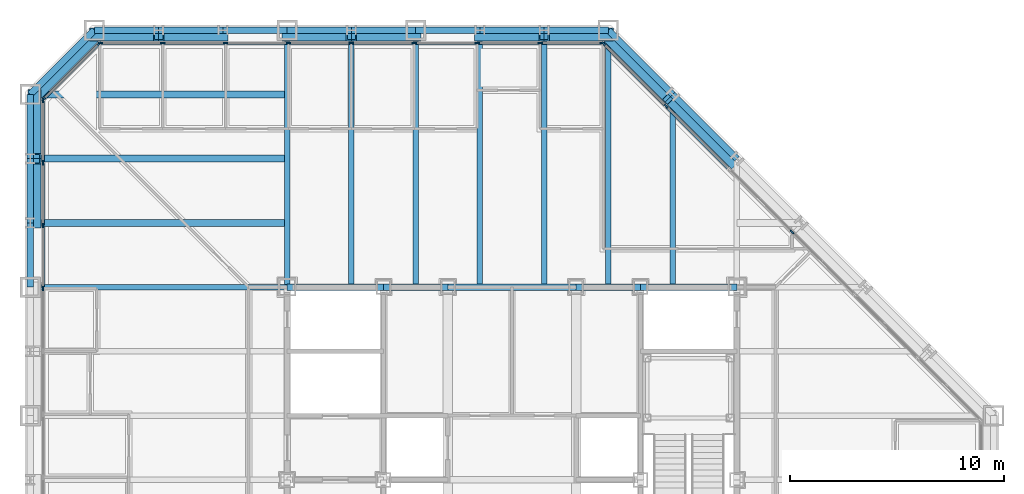
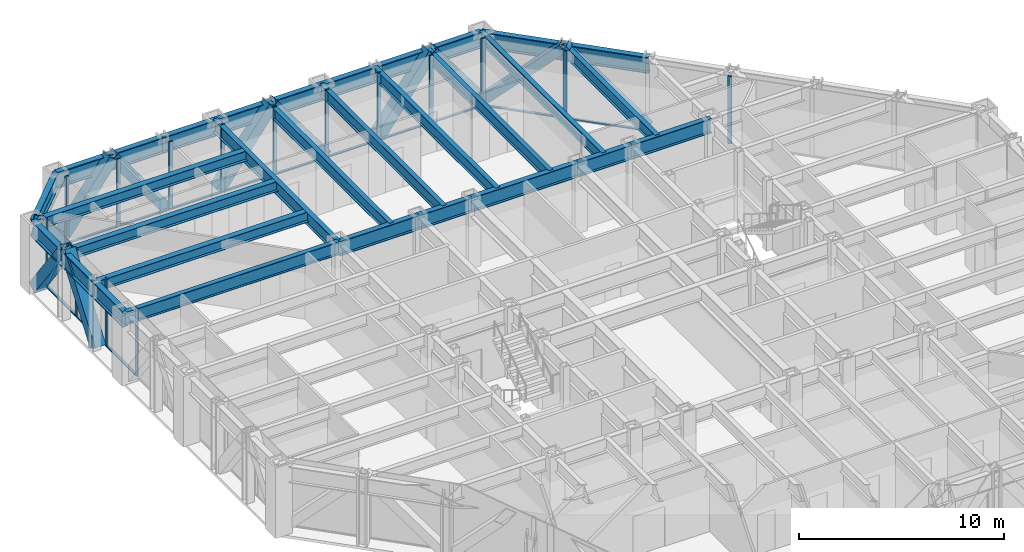
# One storey, part 7 of 17: 43 members, 30 beams, 4 elements without a shape of their own.
"""IFC4 building model written with IfcOpenShell, lengths in metres."""

from ifc_helpers import new_model, si_unit, direction, frame, origin, origin_2d, place, context, subcontext, project, spatial, rectangle, hollow_rectangle, i_section, extrude, material, layer, layer_set, material_profile, profile_set, type_object, element, aggregate, save


model = new_model("IFC4")

# Units and contexts
model_context = context("Model", 3, precision=1e-05, world=origin(), true_north=direction((0.0, 1.0)))
body_context = subcontext(model_context, "Body", "Model", "MODEL_VIEW")
ifc_project = project(units=[si_unit("LENGTHUNIT", "METRE"), si_unit("AREAUNIT", "SQUARE_METRE"), si_unit("VOLUMEUNIT", "CUBIC_METRE"), si_unit("PLANEANGLEUNIT", "RADIAN"), si_unit("MASSUNIT", "GRAM", prefix="KILO")], contexts=[model_context])

# Site, building, storey
site_placement = place(None, origin())
site = spatial("IfcSite", under=ifc_project, at=site_placement, CompositionType="ELEMENT")
building_placement = place(site_placement, origin())
building = spatial("IfcBuilding", under=site, at=building_placement, Name="Chuquiago Exchange Tower", CompositionType="ELEMENT")
storey_placement = place(building_placement, frame((0.0, 0.0, 132.0)))
storey = spatial("IfcBuildingStorey", under=building, at=storey_placement, Name="L28", CompositionType="ELEMENT", Elevation=132.0)

# Beams
ifc_material_1 = material(Name="Steel ASTM A992", Category="steel")
ifc_material_profile_1 = material_profile(ifc_material_1, i_section(OverallWidth=0.25390625, OverallDepth=0.683349609375, WebThickness=0.012451171875, FlangeThickness=0.018798828125, at=origin_2d()), Name="W27X94")
ifc_profile_set_1 = profile_set([ifc_material_profile_1], Name="Steel ASTM A992")
beam_type_1 = type_object("IfcBeamType", Name="B1 W27X94", PredefinedType="BEAM", material=ifc_profile_set_1)
for number, where, z_axis, x_axis, name in (
    (1, (15.0, 33.0, 3.698486328125), (0.0, 1.0, 0.0), (-1.0, 0.0, 0.0), "FB-L29-infill-15_33-15_45-0"),
    (2, (18.0, 33.0, 3.698486328125), (0.0, 1.0, 0.0), (-1.0, 0.0, 0.0), "FB-L29-infill-18_33-18_45-0"),
    (3, (21.0, 33.0, 3.698486328125), (0.0, 1.0, 0.0), (-1.0, 0.0, 0.0), "FB-L29-infill-21_33-21_45-0"),
    (4, (24.0, 33.0, 3.698486328125), (0.0, 1.0, 0.0), (-1.0, 0.0, 0.0), "FB-L29-infill-24_33-24_45-0"),
    (5, (27.0, 33.0, 3.698486328125), (0.0, 1.0, 0.0), (-1.0, 0.0, 0.0), "FB-L29-infill-27_33-27_45-0"),
):
    element("IfcBeam", number, at=place(storey_placement, frame(where, z_axis=z_axis, x_axis=x_axis)), inside=storey, type_object=beam_type_1, Name=name, PredefinedType="BEAM", context=body_context, shape_type="SweptSolid", body=[
        extrude(i_section(OverallWidth=0.25390625, OverallDepth=0.683349609375, WebThickness=0.012451171875, FlangeThickness=0.018798828125, at=origin_2d()), origin(), (0.0, 0.0, 1.0), 12.0),
    ])
beam_1_placement = place(storey_placement, frame((30.0, 33.0, 3.698486328125), z_axis=(0.0, 1.0, 0.0), x_axis=(-1.0, 0.0, 0.0)))
element("IfcBeam", 6, at=beam_1_placement, inside=storey, type_object=beam_type_1, Name="FB-L29-infill-30_33-30_42-0", PredefinedType="BEAM", context=body_context, shape_type="SweptSolid", body=[
    extrude(i_section(OverallWidth=0.25390625, OverallDepth=0.683349609375, WebThickness=0.012451171875, FlangeThickness=0.018798828125, at=origin_2d()), origin(), (0.0, 0.0, 1.0), 9.0),
])
ifc_material_2 = material(Name="Steel ASTM A992", Category="steel")
ifc_material_profile_2 = material_profile(ifc_material_2, i_section(OverallWidth=0.3251953125, OverallDepth=0.612060546875, WebThickness=0.0126953125, FlangeThickness=0.01904296875, at=origin_2d()), Name="W24X104")
ifc_profile_set_2 = profile_set([ifc_material_profile_2], Name="Steel ASTM A992")
beam_type_2 = type_object("IfcBeamType", Name="B2 W24X104", PredefinedType="BEAM", material=ifc_profile_set_2)
for number, where, z_axis, x_axis, name in (
    (7, (12.0, 36.0, 3.73388671875), (-1.0, 0.0, 0.0), (0.0, -1.0, 0.0), "FB-L29-corner-12_36--0_36-0"),
    (8, (12.0, 39.0, 3.73388671875), (-1.0, 0.0, 0.0), (0.0, -1.0, 0.0), "FB-L29-corner-12_39--0_39-0"),
    (9, (12.0, 42.0, 3.73388671875), (-1.0, 0.0, 0.0), (0.0, -1.0, 0.0), "FB-L29-corner-12_42--0_42-0"),
):
    element("IfcBeam", number, at=place(storey_placement, frame(where, z_axis=z_axis, x_axis=x_axis)), inside=storey, type_object=beam_type_2, Name=name, PredefinedType="BEAM", context=body_context, shape_type="SweptSolid", body=[
        extrude(i_section(OverallWidth=0.3251953125, OverallDepth=0.612060546875, WebThickness=0.0126953125, FlangeThickness=0.01904296875, at=origin_2d()), origin(), (0.0, 0.0, 1.0), 12.0),
    ])
ifc_material_3 = material(Name="Steel ASTM A992", Category="steel")
ifc_material_profile_3 = material_profile(ifc_material_3, i_section(OverallWidth=0.2919921875, OverallDepth=0.8583984375, WebThickness=0.01708984375, FlangeThickness=0.031005859375, at=origin_2d()), Name="W33X169")
ifc_profile_set_3 = profile_set([ifc_material_profile_3], Name="Steel ASTM A992")
beam_type_3 = type_object("IfcBeamType", Name="B3 W33X169", PredefinedType="BEAM", material=ifc_profile_set_3)
beam_2_placement = place(storey_placement, frame((12.0, 33.0, 3.610595703125), z_axis=(1.0, 0.0, 0.0), x_axis=(0.0, 1.0, 0.0)))
element("IfcBeam", 10, at=beam_2_placement, inside=storey, type_object=beam_type_3, Name="CB-L29-12_33-16.5_33", PredefinedType="BEAM", context=body_context, shape_type="SweptSolid", body=[
    extrude(i_section(OverallWidth=0.2919921875, OverallDepth=0.8583984375, WebThickness=0.01708984375, FlangeThickness=0.031005859375, at=origin_2d()), origin(), (0.0, 0.0, 1.0), 4.5),
])
beam_3_placement = place(storey_placement, frame((16.5, 33.0, 3.610595703125), z_axis=(1.0, 0.0, 0.0), x_axis=(0.0, 1.0, 0.0)))
element("IfcBeam", 11, at=beam_3_placement, inside=storey, type_object=beam_type_3, Name="CB-L29-16.5_33-19.5_33", PredefinedType="BEAM", context=body_context, shape_type="SweptSolid", body=[
    extrude(i_section(OverallWidth=0.2919921875, OverallDepth=0.8583984375, WebThickness=0.01708984375, FlangeThickness=0.031005859375, at=origin_2d()), origin(), (0.0, 0.0, 1.0), 3.0),
])
beam_4_placement = place(storey_placement, frame((19.5, 33.0, 3.610595703125), z_axis=(1.0, 0.0, 0.0), x_axis=(0.0, 1.0, 0.0)))
element("IfcBeam", 12, at=beam_4_placement, inside=storey, type_object=beam_type_3, Name="CB-L29-19.5_33-25.5_33", PredefinedType="BEAM", context=body_context, shape_type="SweptSolid", body=[
    extrude(i_section(OverallWidth=0.2919921875, OverallDepth=0.8583984375, WebThickness=0.01708984375, FlangeThickness=0.031005859375, at=origin_2d()), origin(), (0.0, 0.0, 1.0), 6.0),
])
beam_5_placement = place(storey_placement, frame((25.5, 33.0, 3.610595703125), z_axis=(1.0, 0.0, 0.0), x_axis=(0.0, 1.0, 0.0)))
element("IfcBeam", 13, at=beam_5_placement, inside=storey, type_object=beam_type_3, Name="CB-L29-25.5_33-28.5_33", PredefinedType="BEAM", context=body_context, shape_type="SweptSolid", body=[
    extrude(i_section(OverallWidth=0.2919921875, OverallDepth=0.8583984375, WebThickness=0.01708984375, FlangeThickness=0.031005859375, at=origin_2d()), origin(), (0.0, 0.0, 1.0), 3.0),
])
beam_6_placement = place(storey_placement, frame((28.5, 33.0, 3.610595703125), z_axis=(1.0, 0.0, 0.0), x_axis=(0.0, 1.0, 0.0)))
element("IfcBeam", 14, at=beam_6_placement, inside=storey, type_object=beam_type_3, Name="CB-L29-28.5_33-33_33", PredefinedType="BEAM", context=body_context, shape_type="SweptSolid", body=[
    extrude(i_section(OverallWidth=0.2919921875, OverallDepth=0.8583984375, WebThickness=0.01708984375, FlangeThickness=0.031005859375, at=origin_2d()), origin(), (0.0, 0.0, 1.0), 4.5),
])

# Curtain wall, members
ifc_material_4 = material(Name="Aluminium curtain wall system", Category="aluminium")
ifc_layer_1 = layer(ifc_material_4, 0.22509765625)
ifc_layer_set_1 = layer_set([ifc_layer_1], Name="CW2 office curtain wall")
curtain_wall_type_1 = type_object("IfcCurtainWallType", Name="CW2 office curtain wall", PredefinedType="NOTDEFINED", material=ifc_layer_set_1)
curtain_wall_1_placement = place(storey_placement, origin())
curtain_wall_1 = element("IfcCurtainWall", 15, at=curtain_wall_1_placement, inside=storey, type_object=curtain_wall_type_1, Name="CW2 curtain wall L28", PredefinedType="NOTDEFINED")
ifc_material_5 = material(Name="Aluminium mullion, pale anodised", Category="aluminium")
ifc_material_profile_4 = material_profile(ifc_material_5, rectangle(XDim=0.06494140625, YDim=0.22509765625, at=origin_2d()), Name="AL 65x225")
ifc_profile_set_4 = profile_set([ifc_material_profile_4], Name="Aluminium mullion, pale anodised")
member_type_1 = type_object("IfcMemberType", Name="CW2-M mullion 65x225", PredefinedType="MULLION", material=ifc_profile_set_4)
member_1_placement = place(storey_placement, frame((26.718994140625, 44.39990234375, 0.0), z_axis=(0.0, 0.0, 1.0), x_axis=(0.0, -1.0, 0.0)))
member_1 = element("IfcMember", 16, at=member_1_placement, type_object=member_type_1, Name="CW2 mullion 1", PredefinedType="MULLION", context=body_context, shape_type="SweptSolid", body=[
    extrude(rectangle(XDim=0.06494140625, YDim=0.22509765625, at=origin_2d()), origin(), (0.0, 0.0, 1.0), 4.0400390625),
])
member_2_placement = place(storey_placement, frame((23.813720703125, 44.39990234375, 0.0), z_axis=(0.0, 0.0, 1.0), x_axis=(0.0, -1.0, 0.0)))
member_2 = element("IfcMember", 17, at=member_2_placement, type_object=member_type_1, Name="CW2 mullion 2", PredefinedType="MULLION", context=body_context, shape_type="SweptSolid", body=[
    extrude(rectangle(XDim=0.06494140625, YDim=0.22509765625, at=origin_2d()), origin(), (0.0, 0.0, 1.0), 4.0400390625),
])
member_3_placement = place(storey_placement, frame((20.875732421875, 44.39990234375, 0.0), z_axis=(0.0, 0.0, 1.0), x_axis=(0.0, -1.0, 0.0)))
member_3 = element("IfcMember", 18, at=member_3_placement, type_object=member_type_1, Name="CW2 mullion 3", PredefinedType="MULLION", context=body_context, shape_type="SweptSolid", body=[
    extrude(rectangle(XDim=0.06494140625, YDim=0.22509765625, at=origin_2d()), origin(), (0.0, 0.0, 1.0), 4.0400390625),
])
member_4_placement = place(storey_placement, frame((17.93798828125, 44.39990234375, 0.0), z_axis=(0.0, 0.0, 1.0), x_axis=(0.0, -1.0, 0.0)))
member_4 = element("IfcMember", 19, at=member_4_placement, type_object=member_type_1, Name="CW2 mullion 4", PredefinedType="MULLION", context=body_context, shape_type="SweptSolid", body=[
    extrude(rectangle(XDim=0.06494140625, YDim=0.22509765625, at=origin_2d()), origin(), (0.0, 0.0, 1.0), 4.0400390625),
])
member_5_placement = place(storey_placement, frame((15.0, 44.39990234375, 0.0), z_axis=(0.0, 0.0, 1.0), x_axis=(0.0, -1.0, 0.0)))
member_5 = element("IfcMember", 20, at=member_5_placement, type_object=member_type_1, Name="CW2 mullion 5", PredefinedType="MULLION", context=body_context, shape_type="SweptSolid", body=[
    extrude(rectangle(XDim=0.06494140625, YDim=0.22509765625, at=origin_2d()), origin(), (0.0, 0.0, 1.0), 4.0400390625),
])
member_6_placement = place(storey_placement, frame((12.06201171875, 44.39990234375, 0.0), z_axis=(0.0, 0.0, 1.0), x_axis=(0.0, -1.0, 0.0)))
member_6 = element("IfcMember", 21, at=member_6_placement, type_object=member_type_1, Name="CW2 mullion 6", PredefinedType="MULLION", context=body_context, shape_type="SweptSolid", body=[
    extrude(rectangle(XDim=0.06494140625, YDim=0.22509765625, at=origin_2d()), origin(), (0.0, 0.0, 1.0), 4.0400390625),
])
member_7_placement = place(storey_placement, frame((9.124267578125, 44.39990234375, 0.0), z_axis=(0.0, 0.0, 1.0), x_axis=(0.0, -1.0, 0.0)))
member_7 = element("IfcMember", 22, at=member_7_placement, type_object=member_type_1, Name="CW2 mullion 7", PredefinedType="MULLION", context=body_context, shape_type="SweptSolid", body=[
    extrude(rectangle(XDim=0.06494140625, YDim=0.22509765625, at=origin_2d()), origin(), (0.0, 0.0, 1.0), 4.0400390625),
])
member_8_placement = place(storey_placement, frame((6.186279296875, 44.39990234375, 0.0), z_axis=(0.0, 0.0, 1.0), x_axis=(0.0, -1.0, 0.0)))
member_8 = element("IfcMember", 23, at=member_8_placement, type_object=member_type_1, Name="CW2 mullion 8", PredefinedType="MULLION", context=body_context, shape_type="SweptSolid", body=[
    extrude(rectangle(XDim=0.06494140625, YDim=0.22509765625, at=origin_2d()), origin(), (0.0, 0.0, 1.0), 4.0400390625),
])
member_9_placement = place(storey_placement, frame((3.281005859375, 44.39990234375, 0.0), z_axis=(0.0, 0.0, 1.0), x_axis=(0.0, -1.0, 0.0)))
member_9 = element("IfcMember", 24, at=member_9_placement, type_object=member_type_1, Name="CW2 mullion 9", PredefinedType="MULLION", context=body_context, shape_type="SweptSolid", body=[
    extrude(rectangle(XDim=0.06494140625, YDim=0.22509765625, at=origin_2d()), origin(), (0.0, 0.0, 1.0), 4.0400390625),
])

curtain_wall_2_placement = place(storey_placement, origin())
curtain_wall_2 = element("IfcCurtainWall", 25, at=curtain_wall_2_placement, inside=storey, type_object=curtain_wall_type_1, Name="CW2 curtain wall L28", PredefinedType="NOTDEFINED")
member_10_placement = place(storey_placement, frame((0.60009765625, 41.718994140625, 0.0), z_axis=(0.0, 0.0, 1.0), x_axis=(1.0, 0.0, 0.0)))
member_10 = element("IfcMember", 26, at=member_10_placement, type_object=member_type_1, Name="CW2 mullion 1", PredefinedType="MULLION", context=body_context, shape_type="SweptSolid", body=[
    extrude(rectangle(XDim=0.06494140625, YDim=0.22509765625, at=origin_2d()), origin(), (0.0, 0.0, 1.0), 4.0400390625),
])
member_11_placement = place(storey_placement, frame((0.60009765625, 38.813720703125, 0.0), z_axis=(0.0, 0.0, 1.0), x_axis=(1.0, 0.0, 0.0)))
member_11 = element("IfcMember", 27, at=member_11_placement, type_object=member_type_1, Name="CW2 mullion 2", PredefinedType="MULLION", context=body_context, shape_type="SweptSolid", body=[
    extrude(rectangle(XDim=0.06494140625, YDim=0.22509765625, at=origin_2d()), origin(), (0.0, 0.0, 1.0), 4.0400390625),
])
member_12_placement = place(storey_placement, frame((0.60009765625, 35.875732421875, 0.0), z_axis=(0.0, 0.0, 1.0), x_axis=(1.0, 0.0, 0.0)))
member_12 = element("IfcMember", 28, at=member_12_placement, type_object=member_type_1, Name="CW2 mullion 3", PredefinedType="MULLION", context=body_context, shape_type="SweptSolid", body=[
    extrude(rectangle(XDim=0.06494140625, YDim=0.22509765625, at=origin_2d()), origin(), (0.0, 0.0, 1.0), 4.0400390625),
])
member_13_placement = place(storey_placement, frame((0.60009765625, 32.93798828125, 0.0), z_axis=(0.0, 0.0, 1.0), x_axis=(1.0, 0.0, 0.0)))
member_13 = element("IfcMember", 29, at=member_13_placement, type_object=member_type_1, Name="CW2 mullion 4", PredefinedType="MULLION", context=body_context, shape_type="SweptSolid", body=[
    extrude(rectangle(XDim=0.06494140625, YDim=0.22509765625, at=origin_2d()), origin(), (0.0, 0.0, 1.0), 4.0400390625),
])

# Member
ifc_material_6 = material(Name="Aluminium transom, pale anodised", Category="aluminium")
ifc_material_profile_5 = material_profile(ifc_material_6, rectangle(XDim=0.139892578125, YDim=0.06494140625, at=origin_2d()), Name="AL 140x65")
ifc_profile_set_5 = profile_set([ifc_material_profile_5], Name="Aluminium transom, pale anodised")
member_type_2 = type_object("IfcMemberType", Name="CW2-T transom 65x140", PredefinedType="MULLION", material=ifc_profile_set_5)
member_14_placement = place(storey_placement, frame((26.6865234375, 44.39990234375, 0.032470703125), z_axis=(-1.0, 0.0, 0.0), x_axis=(0.0, -1.0, 0.0)))
member_14 = element("IfcMember", 30, at=member_14_placement, type_object=member_type_2, Name="CW2 transom 1.1", PredefinedType="MULLION", context=body_context, shape_type="SweptSolid", body=[
    extrude(rectangle(XDim=0.139892578125, YDim=0.06494140625, at=origin_2d()), origin(), (0.0, 0.0, 1.0), 2.84033203125),
])

member_15_placement = place(storey_placement, frame((23.781005859375, 44.39990234375, 0.032470703125), z_axis=(-1.0, 0.0, 0.0), x_axis=(0.0, -1.0, 0.0)))
member_15 = element("IfcMember", 31, at=member_15_placement, type_object=member_type_2, Name="CW2 transom 2.1", PredefinedType="MULLION", context=body_context, shape_type="SweptSolid", body=[
    extrude(rectangle(XDim=0.139892578125, YDim=0.06494140625, at=origin_2d()), origin(), (0.0, 0.0, 1.0), 2.872802734375),
])

member_16_placement = place(storey_placement, frame((20.84326171875, 44.39990234375, 0.032470703125), z_axis=(-1.0, 0.0, 0.0), x_axis=(0.0, -1.0, 0.0)))
member_16 = element("IfcMember", 32, at=member_16_placement, type_object=member_type_2, Name="CW2 transom 3.1", PredefinedType="MULLION", context=body_context, shape_type="SweptSolid", body=[
    extrude(rectangle(XDim=0.139892578125, YDim=0.06494140625, at=origin_2d()), origin(), (0.0, 0.0, 1.0), 2.872802734375),
])

member_17_placement = place(storey_placement, frame((17.9052734375, 44.39990234375, 0.032470703125), z_axis=(-1.0, 0.0, 0.0), x_axis=(0.0, -1.0, 0.0)))
member_17 = element("IfcMember", 33, at=member_17_placement, type_object=member_type_2, Name="CW2 transom 4.1", PredefinedType="MULLION", context=body_context, shape_type="SweptSolid", body=[
    extrude(rectangle(XDim=0.139892578125, YDim=0.06494140625, at=origin_2d()), origin(), (0.0, 0.0, 1.0), 2.872802734375),
])

member_18_placement = place(storey_placement, frame((14.967529296875, 44.39990234375, 0.032470703125), z_axis=(-1.0, 0.0, 0.0), x_axis=(0.0, -1.0, 0.0)))
member_18 = element("IfcMember", 34, at=member_18_placement, type_object=member_type_2, Name="CW2 transom 5.1", PredefinedType="MULLION", context=body_context, shape_type="SweptSolid", body=[
    extrude(rectangle(XDim=0.139892578125, YDim=0.06494140625, at=origin_2d()), origin(), (0.0, 0.0, 1.0), 2.872802734375),
])

member_19_placement = place(storey_placement, frame((12.029541015625, 44.39990234375, 0.032470703125), z_axis=(-1.0, 0.0, 0.0), x_axis=(0.0, -1.0, 0.0)))
member_19 = element("IfcMember", 35, at=member_19_placement, type_object=member_type_2, Name="CW2 transom 6.1", PredefinedType="MULLION", context=body_context, shape_type="SweptSolid", body=[
    extrude(rectangle(XDim=0.139892578125, YDim=0.06494140625, at=origin_2d()), origin(), (0.0, 0.0, 1.0), 2.872802734375),
])

member_20_placement = place(storey_placement, frame((9.091796875, 44.39990234375, 0.032470703125), z_axis=(-1.0, 0.0, 0.0), x_axis=(0.0, -1.0, 0.0)))
member_20 = element("IfcMember", 36, at=member_20_placement, type_object=member_type_2, Name="CW2 transom 7.1", PredefinedType="MULLION", context=body_context, shape_type="SweptSolid", body=[
    extrude(rectangle(XDim=0.139892578125, YDim=0.06494140625, at=origin_2d()), origin(), (0.0, 0.0, 1.0), 2.872802734375),
])

member_21_placement = place(storey_placement, frame((6.15380859375, 44.39990234375, 0.032470703125), z_axis=(-1.0, 0.0, 0.0), x_axis=(0.0, -1.0, 0.0)))
member_21 = element("IfcMember", 37, at=member_21_placement, type_object=member_type_2, Name="CW2 transom 8.1", PredefinedType="MULLION", context=body_context, shape_type="SweptSolid", body=[
    extrude(rectangle(XDim=0.139892578125, YDim=0.06494140625, at=origin_2d()), origin(), (0.0, 0.0, 1.0), 2.84033203125),
])

aggregate(curtain_wall_1, [member_1, member_2, member_3, member_4, member_5, member_6, member_7, member_8, member_9, member_14, member_15, member_16, member_17, member_18, member_19, member_20, member_21])

member_22_placement = place(storey_placement, frame((0.60009765625, 41.6865234375, 0.032470703125), z_axis=(0.0, -1.0, 0.0), x_axis=(1.0, 0.0, 0.0)))
member_22 = element("IfcMember", 38, at=member_22_placement, type_object=member_type_2, Name="CW2 transom 1.1", PredefinedType="MULLION", context=body_context, shape_type="SweptSolid", body=[
    extrude(rectangle(XDim=0.139892578125, YDim=0.06494140625, at=origin_2d()), origin(), (0.0, 0.0, 1.0), 2.84033203125),
])

member_23_placement = place(storey_placement, frame((0.60009765625, 38.781005859375, 0.032470703125), z_axis=(0.0, -1.0, 0.0), x_axis=(1.0, 0.0, 0.0)))
member_23 = element("IfcMember", 39, at=member_23_placement, type_object=member_type_2, Name="CW2 transom 2.1", PredefinedType="MULLION", context=body_context, shape_type="SweptSolid", body=[
    extrude(rectangle(XDim=0.139892578125, YDim=0.06494140625, at=origin_2d()), origin(), (0.0, 0.0, 1.0), 2.872802734375),
])

member_24_placement = place(storey_placement, frame((0.60009765625, 35.84326171875, 0.032470703125), z_axis=(0.0, -1.0, 0.0), x_axis=(1.0, 0.0, 0.0)))
member_24 = element("IfcMember", 40, at=member_24_placement, type_object=member_type_2, Name="CW2 transom 3.1", PredefinedType="MULLION", context=body_context, shape_type="SweptSolid", body=[
    extrude(rectangle(XDim=0.139892578125, YDim=0.06494140625, at=origin_2d()), origin(), (0.0, 0.0, 1.0), 2.872802734375),
])

aggregate(curtain_wall_2, [member_10, member_11, member_12, member_13, member_22, member_23, member_24])

# Curtain wall, members
ifc_material_7 = material(Name="Aluminium curtain wall system", Category="aluminium")
ifc_layer_2 = layer(ifc_material_7, 0.199951171875)
ifc_layer_set_2 = layer_set([ifc_layer_2], Name="CW3 facet curtain wall")
curtain_wall_type_2 = type_object("IfcCurtainWallType", Name="CW3 facet curtain wall", PredefinedType="NOTDEFINED", material=ifc_layer_set_2)
curtain_wall_3_placement = place(storey_placement, origin())
curtain_wall_3 = element("IfcCurtainWall", 41, at=curtain_wall_3_placement, inside=storey, type_object=curtain_wall_type_2, Name="CW3 curtain wall L28", PredefinedType="NOTDEFINED")
ifc_material_8 = material(Name="Aluminium mullion, pale anodised", Category="aluminium")
ifc_material_profile_6 = material_profile(ifc_material_8, rectangle(XDim=0.06494140625, YDim=0.199951171875, at=origin_2d()), Name="AL 65x200")
ifc_profile_set_6 = profile_set([ifc_material_profile_6], Name="Aluminium mullion, pale anodised")
member_type_3 = type_object("IfcMemberType", Name="CW3-M mullion 65x200", PredefinedType="MULLION", material=ifc_profile_set_6)
member_25_placement = place(storey_placement, frame((35.57568359375, 35.57568359375, 0.0), z_axis=(0.0, 0.0, 1.0), x_axis=(-0.707106781187, -0.707106781187, 0.0)))
member_25 = element("IfcMember", 42, at=member_25_placement, type_object=member_type_3, Name="CW3 mullion 4", PredefinedType="MULLION", context=body_context, shape_type="SweptSolid", body=[
    extrude(rectangle(XDim=0.06494140625, YDim=0.199951171875, at=origin_2d()), origin(), (0.0, 0.0, 1.0), 4.0400390625),
])
member_26_placement = place(storey_placement, frame((29.69287109375, 41.45849609375, 0.0), z_axis=(0.0, 0.0, 1.0), x_axis=(-0.707106781187, -0.707106781187, 0.0)))
member_26 = element("IfcMember", 43, at=member_26_placement, type_object=member_type_3, Name="CW3 mullion 6", PredefinedType="MULLION", context=body_context, shape_type="SweptSolid", body=[
    extrude(rectangle(XDim=0.06494140625, YDim=0.199951171875, at=origin_2d()), origin(), (0.0, 0.0, 1.0), 4.0400390625),
])
member_27_placement = place(storey_placement, frame((26.7744140625, 44.376953125, 0.0), z_axis=(0.0, 0.0, 1.0), x_axis=(-0.707106781187, -0.707106781187, 0.0)))
member_27 = element("IfcMember", 44, at=member_27_placement, type_object=member_type_3, Name="CW3 mullion 7", PredefinedType="MULLION", context=body_context, shape_type="SweptSolid", body=[
    extrude(rectangle(XDim=0.06494140625, YDim=0.199951171875, at=origin_2d()), origin(), (0.0, 0.0, 1.0), 4.0400390625),
])

curtain_wall_4_placement = place(storey_placement, origin())
curtain_wall_4 = element("IfcCurtainWall", 45, at=curtain_wall_4_placement, inside=storey, type_object=curtain_wall_type_2, Name="CW3 curtain wall L28", PredefinedType="NOTDEFINED")
member_28_placement = place(storey_placement, frame((3.2255859375, 44.376953125, 0.0), z_axis=(0.0, 0.0, 1.0), x_axis=(0.707106781187, -0.707106781187, 0.0)))
member_28 = element("IfcMember", 46, at=member_28_placement, type_object=member_type_3, Name="CW3 mullion 1", PredefinedType="MULLION", context=body_context, shape_type="SweptSolid", body=[
    extrude(rectangle(XDim=0.06494140625, YDim=0.199951171875, at=origin_2d()), origin(), (0.0, 0.0, 1.0), 4.0400390625),
])
member_29_placement = place(storey_placement, frame((0.623046875, 41.7744140625, 0.0), z_axis=(0.0, 0.0, 1.0), x_axis=(0.707106781187, -0.707106781187, 0.0)))
member_29 = element("IfcMember", 47, at=member_29_placement, type_object=member_type_3, Name="CW3 mullion 2", PredefinedType="MULLION", context=body_context, shape_type="SweptSolid", body=[
    extrude(rectangle(XDim=0.06494140625, YDim=0.199951171875, at=origin_2d()), origin(), (0.0, 0.0, 1.0), 4.0400390625),
])

# Member
ifc_material_9 = material(Name="Aluminium transom, pale anodised", Category="aluminium")
ifc_material_profile_7 = material_profile(ifc_material_9, rectangle(XDim=0.139892578125, YDim=0.06494140625, at=origin_2d()), Name="AL 140x65")
ifc_profile_set_7 = profile_set([ifc_material_profile_7], Name="Aluminium transom, pale anodised")
member_type_4 = type_object("IfcMemberType", Name="CW3-T transom 65x140", PredefinedType="MULLION", material=ifc_profile_set_7)
member_30_placement = place(storey_placement, frame((32.611328125, 38.5400390625, 0.032470703125), z_axis=(-0.707106781187, 0.707106781187, 0.0), x_axis=(-0.707106781187, -0.707106781187, 0.0)))
member_30 = element("IfcMember", 48, at=member_30_placement, type_object=member_type_4, Name="CW3 transom 5.1", PredefinedType="MULLION", context=body_context, shape_type="SweptSolid", body=[
    extrude(rectangle(XDim=0.139892578125, YDim=0.06494140625, at=origin_2d()), origin(), (0.0, 0.0, 1.0), 4.094970703125),
])

member_31_placement = place(storey_placement, frame((29.669921875, 41.4814453125, 0.032470703125), z_axis=(-0.707106781187, 0.707106781187, 0.0), x_axis=(-0.707106781187, -0.707106781187, 0.0)))
member_31 = element("IfcMember", 49, at=member_31_placement, type_object=member_type_4, Name="CW3 transom 6.1", PredefinedType="MULLION", context=body_context, shape_type="SweptSolid", body=[
    extrude(rectangle(XDim=0.139892578125, YDim=0.06494140625, at=origin_2d()), origin(), (0.0, 0.0, 1.0), 4.0625),
])

aggregate(curtain_wall_3, [member_25, member_26, member_27, member_30, member_31])

member_32_placement = place(storey_placement, frame((3.20263671875, 44.35400390625, 0.032470703125), z_axis=(-0.707106781187, -0.707106781187, 0.0), x_axis=(0.707106781187, -0.707106781187, 0.0)))
member_32 = element("IfcMember", 50, at=member_32_placement, type_object=member_type_4, Name="CW3 transom 1.1", PredefinedType="MULLION", context=body_context, shape_type="SweptSolid", body=[
    extrude(rectangle(XDim=0.139892578125, YDim=0.06494140625, at=origin_2d()), origin(), (0.0, 0.0, 1.0), 3.61572265625),
])

aggregate(curtain_wall_4, [member_28, member_29, member_32])

# Beams
ifc_material_10 = material(Name="Steel ASTM A992", Category="steel")
ifc_material_profile_8 = material_profile(ifc_material_10, i_section(OverallWidth=0.2666015625, OverallDepth=0.76953125, WebThickness=0.015625, FlangeThickness=0.025390625, at=origin_2d()), Name="W30X132")
ifc_profile_set_8 = profile_set([ifc_material_profile_8], Name="Steel ASTM A992")
beam_type_4 = type_object("IfcBeamType", Name="G1 W30X132", PredefinedType="BEAM", material=ifc_profile_set_8)
for number, where, z_axis, x_axis, name in (
    (51, (12.0, 33.0, 3.6552734375), (0.0, 1.0, 0.0), (-1.0, 0.0, 0.0), "FB-L29-girder-12_33-12_45-0"),
    (52, (12.0, 33.0, 3.6552734375), (-1.0, 0.0, 0.0), (0.0, -1.0, 0.0), "FB-L29-girder-12_33--0_33-0"),
):
    element("IfcBeam", number, at=place(storey_placement, frame(where, z_axis=z_axis, x_axis=x_axis)), inside=storey, type_object=beam_type_4, Name=name, PredefinedType="BEAM", context=body_context, shape_type="SweptSolid", body=[
        extrude(i_section(OverallWidth=0.2666015625, OverallDepth=0.76953125, WebThickness=0.015625, FlangeThickness=0.025390625, at=origin_2d()), origin(), (0.0, 0.0, 1.0), 12.0),
    ])

# Members
ifc_material_11 = material(Name="Steel ASTM A500 Grade C", Category="steel")
ifc_material_profile_9 = material_profile(ifc_material_11, hollow_rectangle(XDim=0.508056640625, YDim=0.508056640625, WallThickness=0.017822265625, at=origin_2d()), Name="HSS20X20X3/4")
ifc_profile_set_9 = profile_set([ifc_material_profile_9], Name="Steel ASTM A500 Grade C")
member_type_5 = type_object("IfcMemberType", Name="LB1 HSS20X20X3/4", PredefinedType="BRACE", material=ifc_profile_set_9)
for number, where, z_axis, x_axis, name in (
    (53, (32.822509765625, 38.822509765625, 0.0), (-0.512077265487, 0.512077265487, 0.689604051861), (-0.707106781187, -0.707106781187, 0.0), "LB-L28-33_39-30_42"),
    (54, (26.822509765625, 44.822509765625, 0.0), (0.512077265487, -0.512077265487, 0.689604051861), (0.707106781187, 0.707106781187, 0.0), "LB-L28-30_42-27_45"),
    (55, (3.177490234375, 44.822509765625, 0.0), (-0.512077265487, -0.512077265487, 0.689604051861), (0.707106781187, -0.707106781187, 0.0), "LB-L28-3_45-0_42"),
):
    element("IfcMember", number, at=place(storey_placement, frame(where, z_axis=z_axis, x_axis=x_axis)), inside=storey, type_object=member_type_5, Name=name, PredefinedType="BRACE", context=body_context, shape_type="SweptSolid", body=[
        extrude(hollow_rectangle(XDim=0.508056640625, YDim=0.508056640625, WallThickness=0.017822265625, at=origin_2d()), origin(), (0.0, 0.0, 1.0), 5.8583984375),
    ])
ifc_material_12 = material(Name="Steel ASTM A572 Grade 50", Category="steel")
ifc_material_profile_10 = material_profile(ifc_material_12, hollow_rectangle(XDim=0.60009765625, YDim=0.60009765625, WallThickness=0.06005859375, at=origin_2d()), Name="BOX600X600X60")
ifc_profile_set_10 = profile_set([ifc_material_profile_10], Name="Steel ASTM A572 Grade 50")
member_type_6 = type_object("IfcMemberType", Name="MB2 BOX600X600X60", PredefinedType="BRACE", material=ifc_profile_set_10)
for number, where, z_axis, x_axis, name in (
    (56, (27.0, 44.794921875, 0.0), (-0.596173923302, 0.0, 0.802855312728), (0.0, -1.0, 0.0), "Mega diagonal L28 N face"),
    (57, (21.0, 44.794921875, 0.0), (0.596173923302, 0.0, 0.802855312728), (0.0, 1.0, 0.0), "Mega diagonal L28 N face"),
    (58, (18.0, 44.794921875, 0.0), (-0.596173923302, 0.0, 0.802855312728), (0.0, -1.0, 0.0), "Mega diagonal L28 N face"),
    (59, (12.0, 44.794921875, 0.0), (0.596173923302, 0.0, 0.802855312728), (0.0, 1.0, 0.0), "Mega diagonal L28 N face"),
    (60, (9.0, 44.794921875, 0.0), (-0.596173923302, 0.0, 0.802855312728), (0.0, -1.0, 0.0), "Mega diagonal L28 N face"),
    (61, (3.0, 44.794921875, 0.0), (0.596173923302, 0.0, 0.802855312728), (0.0, 1.0, 0.0), "Mega diagonal L28 N face"),
    (62, (0.205078125, 42.0, 0.0), (0.0, -0.596173923302, 0.802855312728), (1.0, 0.0, 0.0), "Mega diagonal L28 W face"),
    (63, (0.205078125, 36.0, 0.0), (0.0, 0.596173923302, 0.802855312728), (-1.0, 0.0, 0.0), "Mega diagonal L28 W face"),
):
    element("IfcMember", number, at=place(storey_placement, frame(where, z_axis=z_axis, x_axis=x_axis)), inside=storey, type_object=member_type_6, Name=name, PredefinedType="BRACE", context=body_context, shape_type="SweptSolid", body=[
        extrude(hollow_rectangle(XDim=0.60009765625, YDim=0.60009765625, WallThickness=0.06005859375, at=origin_2d()), origin(), (0.0, 0.0, 1.0), 5.031982421875),
    ])

# Beams
ifc_material_13 = material(Name="Steel ASTM A992", Category="steel")
ifc_material_profile_11 = material_profile(ifc_material_13, i_section(OverallWidth=0.309814453125, OverallDepth=0.949951171875, WebThickness=0.0244140625, FlangeThickness=0.0439453125, at=origin_2d()), Name="W36X256")
ifc_profile_set_11 = profile_set([ifc_material_profile_11], Name="Steel ASTM A992")
beam_type_5 = type_object("IfcBeamType", Name="SP2 W36X256", PredefinedType="SPANDREL", material=ifc_profile_set_11)
for number, where, z_axis, x_axis, name in (
    (64, (33.0, 39.0, 3.56494140625), (-0.707106781187, 0.707106781187, 0.0), (-0.707106781187, -0.707106781187, 0.0), "SPB-L29-33_39-30_42"),
    (65, (30.0, 42.0, 3.56494140625), (-0.707106781187, 0.707106781187, 0.0), (-0.707106781187, -0.707106781187, 0.0), "SPB-L29-30_42-27_45"),
):
    element("IfcBeam", number, at=place(storey_placement, frame(where, z_axis=z_axis, x_axis=x_axis)), inside=storey, type_object=beam_type_5, Name=name, PredefinedType="SPANDREL", context=body_context, shape_type="SweptSolid", body=[
        extrude(i_section(OverallWidth=0.309814453125, OverallDepth=0.949951171875, WebThickness=0.0244140625, FlangeThickness=0.0439453125, at=origin_2d()), origin(), (0.0, 0.0, 1.0), 4.24267578125),
    ])
for number, where, z_axis, x_axis, name in (
    (66, (27.0, 45.0, 3.56494140625), (-1.0, 0.0, 0.0), (0.0, -1.0, 0.0), "SPB-L29-27_45-24_45"),
    (67, (24.0, 45.0, 3.56494140625), (-1.0, 0.0, 0.0), (0.0, -1.0, 0.0), "SPB-L29-24_45-21_45"),
    (68, (21.0, 45.0, 3.56494140625), (-1.0, 0.0, 0.0), (0.0, -1.0, 0.0), "SPB-L29-21_45-18_45"),
    (69, (18.0, 45.0, 3.56494140625), (-1.0, 0.0, 0.0), (0.0, -1.0, 0.0), "SPB-L29-18_45-15_45"),
    (70, (15.0, 45.0, 3.56494140625), (-1.0, 0.0, 0.0), (0.0, -1.0, 0.0), "SPB-L29-15_45-12_45"),
    (71, (12.0, 45.0, 3.56494140625), (-1.0, 0.0, 0.0), (0.0, -1.0, 0.0), "SPB-L29-12_45-9_45"),
    (72, (9.0, 45.0, 3.56494140625), (-1.0, 0.0, 0.0), (0.0, -1.0, 0.0), "SPB-L29-9_45-6_45"),
    (73, (6.0, 45.0, 3.56494140625), (-1.0, 0.0, 0.0), (0.0, -1.0, 0.0), "SPB-L29-6_45-3_45"),
):
    element("IfcBeam", number, at=place(storey_placement, frame(where, z_axis=z_axis, x_axis=x_axis)), inside=storey, type_object=beam_type_5, Name=name, PredefinedType="SPANDREL", context=body_context, shape_type="SweptSolid", body=[
        extrude(i_section(OverallWidth=0.309814453125, OverallDepth=0.949951171875, WebThickness=0.0244140625, FlangeThickness=0.0439453125, at=origin_2d()), origin(), (0.0, 0.0, 1.0), 3.0),
    ])
beam_7_placement = place(storey_placement, frame((3.0, 45.0, 3.56494140625), z_axis=(-0.707106781187, -0.707106781187, 0.0), x_axis=(0.707106781187, -0.707106781187, 0.0)))
element("IfcBeam", 74, at=beam_7_placement, inside=storey, type_object=beam_type_5, Name="SPB-L29-3_45-0_42", PredefinedType="SPANDREL", context=body_context, shape_type="SweptSolid", body=[
    extrude(i_section(OverallWidth=0.309814453125, OverallDepth=0.949951171875, WebThickness=0.0244140625, FlangeThickness=0.0439453125, at=origin_2d()), origin(), (0.0, 0.0, 1.0), 4.24267578125),
])
for number, where, z_axis, x_axis, name in (
    (75, (0.0, 42.0, 3.56494140625), (0.0, -1.0, 0.0), (1.0, 0.0, 0.0), "SPB-L29-0_42-0_39"),
    (76, (0.0, 39.0, 3.56494140625), (0.0, -1.0, 0.0), (1.0, 0.0, 0.0), "SPB-L29-0_39-0_36"),
    (77, (0.0, 36.0, 3.56494140625), (0.0, -1.0, 0.0), (1.0, 0.0, 0.0), "SPB-L29-0_36-0_33"),
):
    element("IfcBeam", number, at=place(storey_placement, frame(where, z_axis=z_axis, x_axis=x_axis)), inside=storey, type_object=beam_type_5, Name=name, PredefinedType="SPANDREL", context=body_context, shape_type="SweptSolid", body=[
        extrude(i_section(OverallWidth=0.309814453125, OverallDepth=0.949951171875, WebThickness=0.0244140625, FlangeThickness=0.0439453125, at=origin_2d()), origin(), (0.0, 0.0, 1.0), 3.0),
    ])

save(model, "model.ifc")
